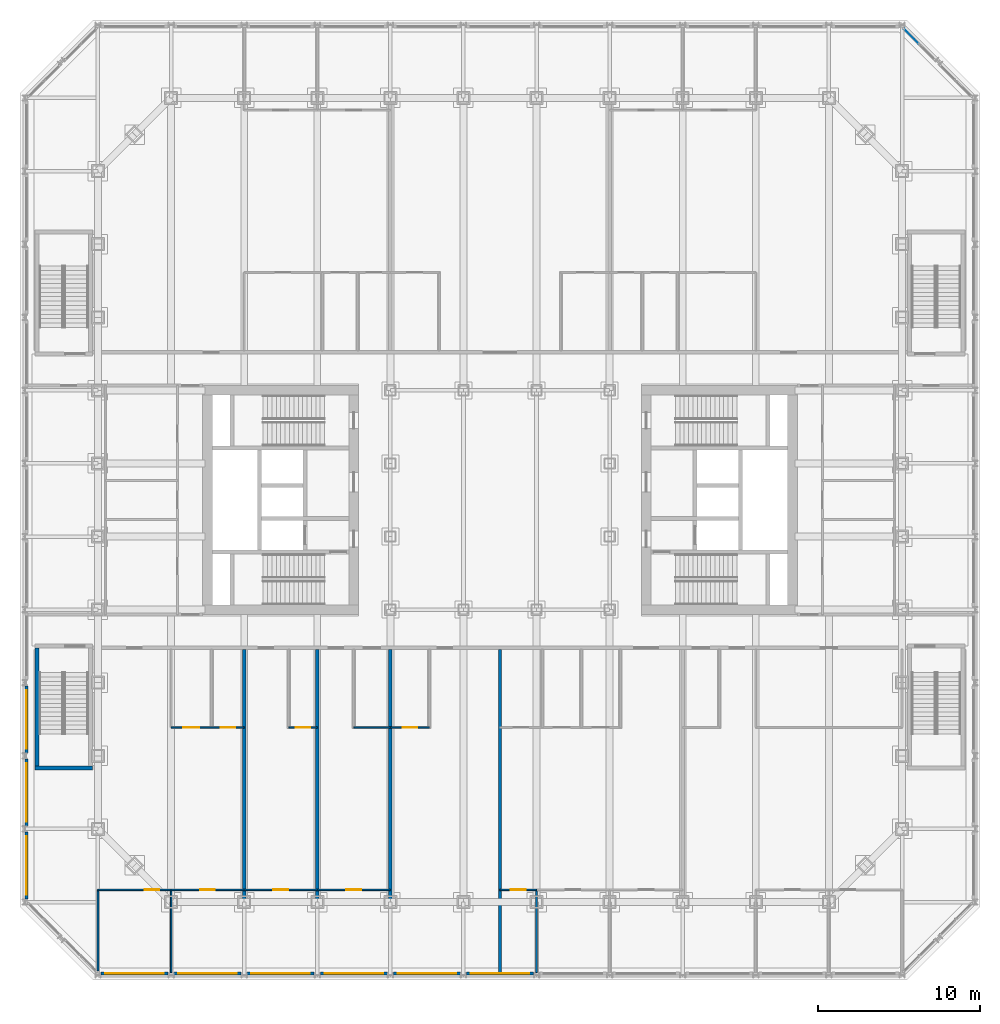
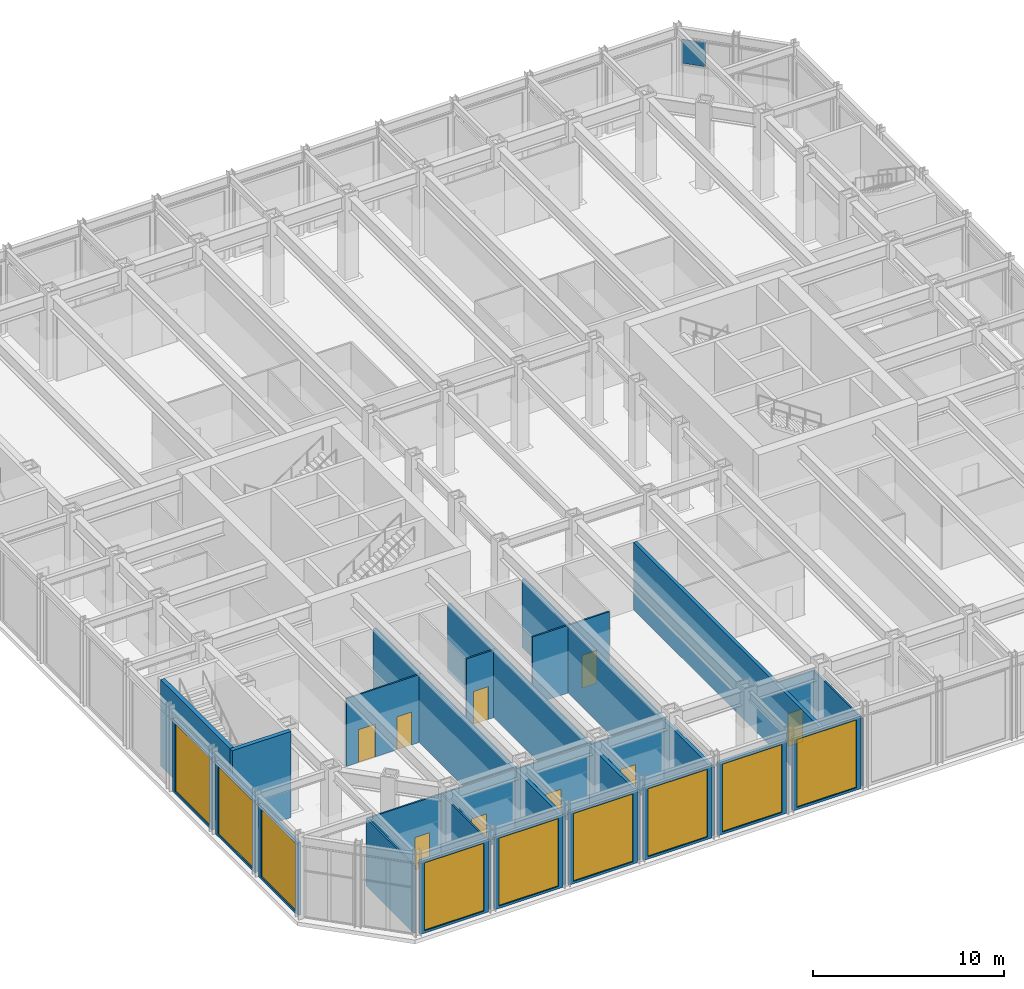
# One storey, part 10 of 19: 27 walls, 9 doors, 9 windows, 1 plate, 18 openings, 1 element without a shape of its own.
"""IFC4 building model written with IfcOpenShell, lengths in metres."""

from ifc_helpers import new_model, si_unit, direction, frame, frame_2d, origin, origin_2d, place, context, subcontext, project, spatial, rectangle, extrude, material, layer, layer_set, type_object, element, fill, aggregate, save


model = new_model("IFC4")

# Units and contexts
model_context = context("Model", 3, precision=1e-05, world=origin(), true_north=direction((0.0, 1.0)))
body_context = subcontext(model_context, "Body", "Model", "MODEL_VIEW")
ifc_project = project(units=[si_unit("LENGTHUNIT", "METRE"), si_unit("AREAUNIT", "SQUARE_METRE"), si_unit("VOLUMEUNIT", "CUBIC_METRE"), si_unit("PLANEANGLEUNIT", "RADIAN"), si_unit("MASSUNIT", "GRAM", prefix="KILO")], contexts=[model_context])

# Site, building, storey
site_placement = place(None, origin())
site = spatial("IfcSite", under=ifc_project, at=site_placement, CompositionType="ELEMENT")
building_placement = place(site_placement, origin())
building = spatial("IfcBuilding", under=site, at=building_placement, Name="Msasa Ring Tower", CompositionType="ELEMENT")
storey_placement = place(building_placement, frame((0.0, 0.0, 16.0)))
storey = spatial("IfcBuildingStorey", under=building, at=storey_placement, Name="L03", CompositionType="ELEMENT", Elevation=16.0)

# Curtain wall, plate
ifc_material_1 = material(Name="Aluminium curtain wall with clear glass", Category="aluminium")
curtain_wall_type = type_object("IfcCurtainWallType", Name="CW-K PODIUM CORNER CURTAIN WALL", PredefinedType="NOTDEFINED", material=ifc_material_1)
curtain_wall_placement = place(storey_placement, origin())
curtain_wall = element("IfcCurtainWall", 1, at=curtain_wall_placement, inside=storey, type_object=curtain_wall_type, Name="Podium corner curtain wall NE L03", PredefinedType="NOTDEFINED")
ifc_material_2 = material(Name="Clear laminated insulating glass unit", Category="glass")
ifc_layer_1 = layer(ifc_material_2, 0.031982421875)
ifc_layer_set_1 = layer_set([ifc_layer_1], Name="CW-K GLASS PANEL 32")
plate_type = type_object("IfcPlateType", Name="CW-K GLASS PANEL 32", PredefinedType="CURTAIN_PANEL", material=ifc_layer_set_1)
plate_placement = place(storey_placement, frame((25.320556640625, 28.5380859375, 3.034912109375), z_axis=(0.0, 0.0, 1.0), x_axis=(-0.707106781187, 0.707106781187, 0.0)))
plate = element("IfcPlate", 2, at=plate_placement, type_object=plate_type, Name="CW-K panel 2.2", PredefinedType="CURTAIN_PANEL", context=body_context, shape_type="SweptSolid", body=[
    extrude(rectangle(XDim=1.29833984375, YDim=0.031982421875, at=origin_2d()), origin(), (0.0, 0.0, 1.0), 1.52783203125),
])
aggregate(curtain_wall, [plate])

# Wall, opening, window
ifc_material_3 = material(Name="Terracotta rainscreen on blockwork", Category="masonry")
ifc_layer_2 = layer(ifc_material_3, 0.199951171875)
ifc_layer_set_2 = layer_set([ifc_layer_2], Name="FW2 TERRACOTTA PODIUM BAY WALL 200")
wall_type_1 = type_object("IfcWallType", Name="FW2 TERRACOTTA PODIUM BAY WALL 200", PredefinedType="SOLIDWALL", material=ifc_layer_set_2)
wall_1_placement = place(storey_placement, frame((-24.562255859375, -29.14990234375, 0.0), z_axis=(0.0, 0.0, 1.0), x_axis=(1.0, 0.0, 0.0)))
wall_1 = element("IfcWall", 3, at=wall_1_placement, inside=storey, type_object=wall_type_1, Name="Podium bay wall S L03 00", PredefinedType="SOLIDWALL", context=body_context, shape_type="SweptSolid", body=[
    extrude(rectangle(XDim=4.12451171875, YDim=0.199951171875, at=frame_2d((2.062255859375, 0.0))), origin(), (0.0, 0.0, 1.0), 4.6328125),
])
opening_1_placement = place(wall_1_placement, frame((0.26220703125, 0.0, 0.14990234375)))
opening_1 = element("IfcOpeningElement", 4, at=opening_1_placement, cuts=wall_1, Name="Opening SF4", PredefinedType="OPENING", context=body_context, shape_type="SweptSolid", body=[
    extrude(rectangle(XDim=3.60009765625, YDim=4.3330078125, at=frame_2d((1.800048828125, 2.16650390625))), frame((0.0, 0.10986328125, 0.0), z_axis=(0.0, -1.0, 0.0), x_axis=(1.0, 0.0, 0.0)), (0.0, 0.0, 1.0), 0.219970703125),
])
ifc_material_4 = material(Name="Aluminium frame with clear glass", Category="aluminium")
window_type = type_object("IfcWindowType", Name="SF4 SHOPFRONT GLAZING 3600x4333", PartitioningType="SINGLE_PANEL", PredefinedType="WINDOW", material=ifc_material_4)
window_1_placement = place(opening_1_placement, origin())
window_1 = element("IfcWindow", 5, at=window_1_placement, inside=storey, type_object=window_type, Name="Shopfront glazing S L03 00", OverallHeight=4.3330078125, OverallWidth=3.60009765625, PartitioningType="SINGLE_PANEL", PredefinedType="WINDOW", context=body_context, shape_type="SweptSolid", body=[
    extrude(rectangle(XDim=3.60009765625, YDim=4.3330078125, at=frame_2d((1.800048828125, 2.16650390625))), frame((0.0, 0.030029296875, 0.0), z_axis=(0.0, -1.0, 0.0), x_axis=(1.0, 0.0, 0.0)), (0.0, 0.0, 1.0), 0.06005859375),
])
fill(opening_1, window_1)

wall_2_placement = place(storey_placement, frame((-20.062255859375, -29.14990234375, 0.0), z_axis=(0.0, 0.0, 1.0), x_axis=(1.0, 0.0, 0.0)))
wall_2 = element("IfcWall", 6, at=wall_2_placement, inside=storey, type_object=wall_type_1, Name="Podium bay wall S L03 01", PredefinedType="SOLIDWALL", context=body_context, shape_type="SweptSolid", body=[
    extrude(rectangle(XDim=4.124755859375, YDim=0.199951171875, at=frame_2d((2.0625, 0.0))), origin(), (0.0, 0.0, 1.0), 4.6328125),
])
opening_2_placement = place(wall_2_placement, frame((0.26220703125, 0.0, 0.14990234375)))
opening_2 = element("IfcOpeningElement", 7, at=opening_2_placement, cuts=wall_2, Name="Opening SF4", PredefinedType="OPENING", context=body_context, shape_type="SweptSolid", body=[
    extrude(rectangle(XDim=3.60009765625, YDim=4.3330078125, at=frame_2d((1.800048828125, 2.16650390625))), frame((0.0, 0.10986328125, 0.0), z_axis=(0.0, -1.0, 0.0), x_axis=(1.0, 0.0, 0.0)), (0.0, 0.0, 1.0), 0.219970703125),
])
window_2_placement = place(opening_2_placement, origin())
window_2 = element("IfcWindow", 8, at=window_2_placement, inside=storey, type_object=window_type, Name="Shopfront glazing S L03 01", OverallHeight=4.3330078125, OverallWidth=3.60009765625, PartitioningType="SINGLE_PANEL", PredefinedType="WINDOW", context=body_context, shape_type="SweptSolid", body=[
    extrude(rectangle(XDim=3.60009765625, YDim=4.3330078125, at=frame_2d((1.800048828125, 2.16650390625))), frame((0.0, 0.030029296875, 0.0), z_axis=(0.0, -1.0, 0.0), x_axis=(1.0, 0.0, 0.0)), (0.0, 0.0, 1.0), 0.06005859375),
])
fill(opening_2, window_2)

wall_3_placement = place(storey_placement, frame((-15.5625, -29.14990234375, 0.0), z_axis=(0.0, 0.0, 1.0), x_axis=(1.0, 0.0, 0.0)))
wall_3 = element("IfcWall", 9, at=wall_3_placement, inside=storey, type_object=wall_type_1, Name="Podium bay wall S L03 02", PredefinedType="SOLIDWALL", context=body_context, shape_type="SweptSolid", body=[
    extrude(rectangle(XDim=4.125, YDim=0.199951171875, at=frame_2d((2.0625, 0.0))), origin(), (0.0, 0.0, 1.0), 4.6328125),
])
opening_3_placement = place(wall_3_placement, frame((0.262451171875, 0.0, 0.14990234375)))
opening_3 = element("IfcOpeningElement", 10, at=opening_3_placement, cuts=wall_3, Name="Opening SF4", PredefinedType="OPENING", context=body_context, shape_type="SweptSolid", body=[
    extrude(rectangle(XDim=3.60009765625, YDim=4.3330078125, at=frame_2d((1.800048828125, 2.16650390625))), frame((0.0, 0.10986328125, 0.0), z_axis=(0.0, -1.0, 0.0), x_axis=(1.0, 0.0, 0.0)), (0.0, 0.0, 1.0), 0.219970703125),
])
window_3_placement = place(opening_3_placement, origin())
window_3 = element("IfcWindow", 11, at=window_3_placement, inside=storey, type_object=window_type, Name="Shopfront glazing S L03 02", OverallHeight=4.3330078125, OverallWidth=3.60009765625, PartitioningType="SINGLE_PANEL", PredefinedType="WINDOW", context=body_context, shape_type="SweptSolid", body=[
    extrude(rectangle(XDim=3.60009765625, YDim=4.3330078125, at=frame_2d((1.800048828125, 2.16650390625))), frame((0.0, 0.030029296875, 0.0), z_axis=(0.0, -1.0, 0.0), x_axis=(1.0, 0.0, 0.0)), (0.0, 0.0, 1.0), 0.06005859375),
])
fill(opening_3, window_3)

wall_4_placement = place(storey_placement, frame((-11.0625, -29.14990234375, 0.0), z_axis=(0.0, 0.0, 1.0), x_axis=(1.0, 0.0, 0.0)))
wall_4 = element("IfcWall", 12, at=wall_4_placement, inside=storey, type_object=wall_type_1, Name="Podium bay wall S L03 03", PredefinedType="SOLIDWALL", context=body_context, shape_type="SweptSolid", body=[
    extrude(rectangle(XDim=4.125, YDim=0.199951171875, at=frame_2d((2.0625, 0.0))), origin(), (0.0, 0.0, 1.0), 4.6328125),
])
opening_4_placement = place(wall_4_placement, frame((0.262451171875, 0.0, 0.14990234375)))
opening_4 = element("IfcOpeningElement", 13, at=opening_4_placement, cuts=wall_4, Name="Opening SF4", PredefinedType="OPENING", context=body_context, shape_type="SweptSolid", body=[
    extrude(rectangle(XDim=3.60009765625, YDim=4.3330078125, at=frame_2d((1.800048828125, 2.16650390625))), frame((0.0, 0.10986328125, 0.0), z_axis=(0.0, -1.0, 0.0), x_axis=(1.0, 0.0, 0.0)), (0.0, 0.0, 1.0), 0.219970703125),
])
window_4_placement = place(opening_4_placement, origin())
window_4 = element("IfcWindow", 14, at=window_4_placement, inside=storey, type_object=window_type, Name="Shopfront glazing S L03 03", OverallHeight=4.3330078125, OverallWidth=3.60009765625, PartitioningType="SINGLE_PANEL", PredefinedType="WINDOW", context=body_context, shape_type="SweptSolid", body=[
    extrude(rectangle(XDim=3.60009765625, YDim=4.3330078125, at=frame_2d((1.800048828125, 2.16650390625))), frame((0.0, 0.030029296875, 0.0), z_axis=(0.0, -1.0, 0.0), x_axis=(1.0, 0.0, 0.0)), (0.0, 0.0, 1.0), 0.06005859375),
])
fill(opening_4, window_4)

wall_5_placement = place(storey_placement, frame((-6.5625, -29.14990234375, 0.0), z_axis=(0.0, 0.0, 1.0), x_axis=(1.0, 0.0, 0.0)))
wall_5 = element("IfcWall", 15, at=wall_5_placement, inside=storey, type_object=wall_type_1, Name="Podium bay wall S L03 04", PredefinedType="SOLIDWALL", context=body_context, shape_type="SweptSolid", body=[
    extrude(rectangle(XDim=4.124755859375, YDim=0.199951171875, at=frame_2d((2.0625, 0.0))), origin(), (0.0, 0.0, 1.0), 4.6328125),
])
opening_5_placement = place(wall_5_placement, frame((0.262451171875, 0.0, 0.14990234375)))
opening_5 = element("IfcOpeningElement", 16, at=opening_5_placement, cuts=wall_5, Name="Opening SF4", PredefinedType="OPENING", context=body_context, shape_type="SweptSolid", body=[
    extrude(rectangle(XDim=3.60009765625, YDim=4.3330078125, at=frame_2d((1.800048828125, 2.16650390625))), frame((0.0, 0.10986328125, 0.0), z_axis=(0.0, -1.0, 0.0), x_axis=(1.0, 0.0, 0.0)), (0.0, 0.0, 1.0), 0.219970703125),
])
window_5_placement = place(opening_5_placement, origin())
window_5 = element("IfcWindow", 17, at=window_5_placement, inside=storey, type_object=window_type, Name="Shopfront glazing S L03 04", OverallHeight=4.3330078125, OverallWidth=3.60009765625, PartitioningType="SINGLE_PANEL", PredefinedType="WINDOW", context=body_context, shape_type="SweptSolid", body=[
    extrude(rectangle(XDim=3.60009765625, YDim=4.3330078125, at=frame_2d((1.800048828125, 2.16650390625))), frame((0.0, 0.030029296875, 0.0), z_axis=(0.0, -1.0, 0.0), x_axis=(1.0, 0.0, 0.0)), (0.0, 0.0, 1.0), 0.06005859375),
])
fill(opening_5, window_5)

wall_6_placement = place(storey_placement, frame((-2.062255859375, -29.14990234375, 0.0), z_axis=(0.0, 0.0, 1.0), x_axis=(1.0, 0.0, 0.0)))
wall_6 = element("IfcWall", 18, at=wall_6_placement, inside=storey, type_object=wall_type_1, Name="Podium bay wall S L03 05", PredefinedType="SOLIDWALL", context=body_context, shape_type="SweptSolid", body=[
    extrude(rectangle(XDim=4.12451171875, YDim=0.199951171875, at=frame_2d((2.062255859375, 0.0))), origin(), (0.0, 0.0, 1.0), 4.6328125),
])
opening_6_placement = place(wall_6_placement, frame((0.26220703125, 0.0, 0.14990234375)))
opening_6 = element("IfcOpeningElement", 19, at=opening_6_placement, cuts=wall_6, Name="Opening SF4", PredefinedType="OPENING", context=body_context, shape_type="SweptSolid", body=[
    extrude(rectangle(XDim=3.60009765625, YDim=4.3330078125, at=frame_2d((1.800048828125, 2.16650390625))), frame((0.0, 0.10986328125, 0.0), z_axis=(0.0, -1.0, 0.0), x_axis=(1.0, 0.0, 0.0)), (0.0, 0.0, 1.0), 0.219970703125),
])
window_6_placement = place(opening_6_placement, origin())
window_6 = element("IfcWindow", 20, at=window_6_placement, inside=storey, type_object=window_type, Name="Shopfront glazing S L03 05", OverallHeight=4.3330078125, OverallWidth=3.60009765625, PartitioningType="SINGLE_PANEL", PredefinedType="WINDOW", context=body_context, shape_type="SweptSolid", body=[
    extrude(rectangle(XDim=3.60009765625, YDim=4.3330078125, at=frame_2d((1.800048828125, 2.16650390625))), frame((0.0, 0.030029296875, 0.0), z_axis=(0.0, -1.0, 0.0), x_axis=(1.0, 0.0, 0.0)), (0.0, 0.0, 1.0), 0.06005859375),
])
fill(opening_6, window_6)

wall_7_placement = place(storey_placement, frame((-29.14990234375, -24.562255859375, 0.0), z_axis=(0.0, 0.0, 1.0), x_axis=(0.0, 1.0, 0.0)))
wall_7 = element("IfcWall", 21, at=wall_7_placement, inside=storey, type_object=wall_type_1, Name="Podium bay wall W L03 39", PredefinedType="SOLIDWALL", context=body_context, shape_type="SweptSolid", body=[
    extrude(rectangle(XDim=4.12451171875, YDim=0.199951171875, at=frame_2d((2.062255859375, 0.0))), origin(), (0.0, 0.0, 1.0), 4.6328125),
])
opening_7_placement = place(wall_7_placement, frame((0.26220703125, 0.0, 0.14990234375)))
opening_7 = element("IfcOpeningElement", 22, at=opening_7_placement, cuts=wall_7, Name="Opening SF4", PredefinedType="OPENING", context=body_context, shape_type="SweptSolid", body=[
    extrude(rectangle(XDim=3.60009765625, YDim=4.3330078125, at=frame_2d((1.800048828125, 2.16650390625))), frame((0.0, 0.10986328125, 0.0), z_axis=(0.0, -1.0, 0.0), x_axis=(1.0, 0.0, 0.0)), (0.0, 0.0, 1.0), 0.219970703125),
])
window_7_placement = place(opening_7_placement, origin())
window_7 = element("IfcWindow", 23, at=window_7_placement, inside=storey, type_object=window_type, Name="Shopfront glazing W L03 39", OverallHeight=4.3330078125, OverallWidth=3.60009765625, PartitioningType="SINGLE_PANEL", PredefinedType="WINDOW", context=body_context, shape_type="SweptSolid", body=[
    extrude(rectangle(XDim=3.60009765625, YDim=4.3330078125, at=frame_2d((1.800048828125, 2.16650390625))), frame((0.0, 0.030029296875, 0.0), z_axis=(0.0, -1.0, 0.0), x_axis=(1.0, 0.0, 0.0)), (0.0, 0.0, 1.0), 0.06005859375),
])
fill(opening_7, window_7)

wall_8_placement = place(storey_placement, frame((-29.14990234375, -20.062255859375, 0.0), z_axis=(0.0, 0.0, 1.0), x_axis=(0.0, 1.0, 0.0)))
wall_8 = element("IfcWall", 24, at=wall_8_placement, inside=storey, type_object=wall_type_1, Name="Podium bay wall W L03 40", PredefinedType="SOLIDWALL", context=body_context, shape_type="SweptSolid", body=[
    extrude(rectangle(XDim=4.124755859375, YDim=0.199951171875, at=frame_2d((2.0625, 0.0))), origin(), (0.0, 0.0, 1.0), 4.6328125),
])
opening_8_placement = place(wall_8_placement, frame((0.26220703125, 0.0, 0.14990234375)))
opening_8 = element("IfcOpeningElement", 25, at=opening_8_placement, cuts=wall_8, Name="Opening SF4", PredefinedType="OPENING", context=body_context, shape_type="SweptSolid", body=[
    extrude(rectangle(XDim=3.60009765625, YDim=4.3330078125, at=frame_2d((1.800048828125, 2.16650390625))), frame((0.0, 0.10986328125, 0.0), z_axis=(0.0, -1.0, 0.0), x_axis=(1.0, 0.0, 0.0)), (0.0, 0.0, 1.0), 0.219970703125),
])
window_8_placement = place(opening_8_placement, origin())
window_8 = element("IfcWindow", 26, at=window_8_placement, inside=storey, type_object=window_type, Name="Shopfront glazing W L03 40", OverallHeight=4.3330078125, OverallWidth=3.60009765625, PartitioningType="SINGLE_PANEL", PredefinedType="WINDOW", context=body_context, shape_type="SweptSolid", body=[
    extrude(rectangle(XDim=3.60009765625, YDim=4.3330078125, at=frame_2d((1.800048828125, 2.16650390625))), frame((0.0, 0.030029296875, 0.0), z_axis=(0.0, -1.0, 0.0), x_axis=(1.0, 0.0, 0.0)), (0.0, 0.0, 1.0), 0.06005859375),
])
fill(opening_8, window_8)

wall_9_placement = place(storey_placement, frame((-29.14990234375, -15.5625, 0.0), z_axis=(0.0, 0.0, 1.0), x_axis=(0.0, 1.0, 0.0)))
wall_9 = element("IfcWall", 27, at=wall_9_placement, inside=storey, type_object=wall_type_1, Name="Podium bay wall W L03 41", PredefinedType="SOLIDWALL", context=body_context, shape_type="SweptSolid", body=[
    extrude(rectangle(XDim=4.125, YDim=0.199951171875, at=frame_2d((2.0625, 0.0))), origin(), (0.0, 0.0, 1.0), 4.6328125),
])
opening_9_placement = place(wall_9_placement, frame((0.262451171875, 0.0, 0.14990234375)))
opening_9 = element("IfcOpeningElement", 28, at=opening_9_placement, cuts=wall_9, Name="Opening SF4", PredefinedType="OPENING", context=body_context, shape_type="SweptSolid", body=[
    extrude(rectangle(XDim=3.60009765625, YDim=4.3330078125, at=frame_2d((1.800048828125, 2.16650390625))), frame((0.0, 0.10986328125, 0.0), z_axis=(0.0, -1.0, 0.0), x_axis=(1.0, 0.0, 0.0)), (0.0, 0.0, 1.0), 0.219970703125),
])
window_9_placement = place(opening_9_placement, origin())
window_9 = element("IfcWindow", 29, at=window_9_placement, inside=storey, type_object=window_type, Name="Shopfront glazing W L03 41", OverallHeight=4.3330078125, OverallWidth=3.60009765625, PartitioningType="SINGLE_PANEL", PredefinedType="WINDOW", context=body_context, shape_type="SweptSolid", body=[
    extrude(rectangle(XDim=3.60009765625, YDim=4.3330078125, at=frame_2d((1.800048828125, 2.16650390625))), frame((0.0, 0.030029296875, 0.0), z_axis=(0.0, -1.0, 0.0), x_axis=(1.0, 0.0, 0.0)), (0.0, 0.0, 1.0), 0.06005859375),
])
fill(opening_9, window_9)

# Wall, openings, doors
ifc_material_5 = material(Name="Gypsum board on steel studs", Category="steel")
ifc_layer_3 = layer(ifc_material_5, 0.10009765625)
ifc_layer_set_3 = layer_set([ifc_layer_3], Name="PT2 STUD PARTITION 100")
wall_type_2 = type_object("IfcWallType", Name="PT2 STUD PARTITION 100", PredefinedType="PARTITIONING", material=ifc_layer_set_3)
wall_10_placement = place(storey_placement, frame((-20.25, -14.0, 0.0), z_axis=(0.0, 0.0, 1.0), x_axis=(1.0, 0.0, 0.0)))
wall_10 = element("IfcWall", 30, at=wall_10_placement, inside=storey, type_object=wall_type_2, Name="Partition L03-PDS0BY", PredefinedType="PARTITIONING", context=body_context, shape_type="SweptSolid", body=[
    extrude(rectangle(XDim=4.5, YDim=0.10009765625, at=frame_2d((2.25, 0.0))), origin(), (0.0, 0.0, 1.0), 4.3291015625),
])
opening_10_placement = place(wall_10_placement, frame((0.75, 0.0, 0.0)))
opening_10 = element("IfcOpeningElement", 31, at=opening_10_placement, cuts=wall_10, Name="Opening L03-049", PredefinedType="OPENING", context=body_context, shape_type="SweptSolid", body=[
    extrude(rectangle(XDim=1.0, YDim=2.10009765625, at=frame_2d((0.5, 1.050048828125))), frame((0.0, 0.06005859375, 0.0), z_axis=(0.0, -1.0, 0.0), x_axis=(1.0, 0.0, 0.0)), (0.0, 0.0, 1.0), 0.1201171875),
])
opening_11_placement = place(wall_10_placement, frame((3.050048828125, 0.0, 0.0)))
opening_11 = element("IfcOpeningElement", 32, at=opening_11_placement, cuts=wall_10, Name="Opening L03-050", PredefinedType="OPENING", context=body_context, shape_type="SweptSolid", body=[
    extrude(rectangle(XDim=0.89990234375, YDim=2.10009765625, at=frame_2d((0.449951171875, 1.050048828125))), frame((0.0, 0.06005859375, 0.0), z_axis=(0.0, -1.0, 0.0), x_axis=(1.0, 0.0, 0.0)), (0.0, 0.0, 1.0), 0.1201171875),
])
ifc_material_6 = material(Name="Timber door leaf in a steel frame", Category="steel")
door_type_1 = type_object("IfcDoorType", Name="D22 INTERNAL HALL DOOR 900x2100", OperationType="SINGLE_SWING_LEFT", PredefinedType="DOOR", material=ifc_material_6)
door_1_placement = place(opening_11_placement, origin())
door_1 = element("IfcDoor", 33, at=door_1_placement, inside=storey, type_object=door_type_1, Name="Door L03-PDS0B1", OperationType="SINGLE_SWING_RIGHT", OverallHeight=2.10009765625, OverallWidth=0.89990234375, PredefinedType="DOOR", context=body_context, shape_type="SweptSolid", body=[
    extrude(rectangle(XDim=0.89990234375, YDim=2.10009765625, at=frame_2d((0.449951171875, 1.050048828125))), frame((0.0, 0.02490234375, 0.0), z_axis=(0.0, -1.0, 0.0), x_axis=(1.0, 0.0, 0.0)), (0.0, 0.0, 1.0), 0.050048828125),
])
fill(opening_11, door_1)
ifc_material_7 = material(Name="Timber door leaf in a steel frame", Category="steel")
door_type_2 = type_object("IfcDoorType", Name="D27 INTERNAL STORE DOOR 1000x2100", OperationType="SINGLE_SWING_LEFT", PredefinedType="DOOR", material=ifc_material_7)
door_2_placement = place(opening_10_placement, origin())
door_2 = element("IfcDoor", 34, at=door_2_placement, inside=storey, type_object=door_type_2, Name="Door L03-PDS0B0", OperationType="SINGLE_SWING_LEFT", OverallHeight=2.10009765625, OverallWidth=1.0, PredefinedType="DOOR", context=body_context, shape_type="SweptSolid", body=[
    extrude(rectangle(XDim=1.0, YDim=2.10009765625, at=frame_2d((0.5, 1.050048828125))), frame((0.0, 0.02490234375, 0.0), z_axis=(0.0, -1.0, 0.0), x_axis=(1.0, 0.0, 0.0)), (0.0, 0.0, 1.0), 0.050048828125),
])
fill(opening_10, door_2)

# Walls
wall_11_placement = place(storey_placement, frame((-24.75, -28.989990234375, 0.0), z_axis=(0.0, 0.0, 1.0), x_axis=(0.0, 1.0, 0.0)))
element("IfcWall", 35, at=wall_11_placement, inside=storey, type_object=wall_type_2, Name="Partition L03-PDS0FX-24.75", PredefinedType="PARTITIONING", context=body_context, shape_type="SweptSolid", body=[
    extrude(rectangle(XDim=4.989990234375, YDim=0.10009765625, at=frame_2d((2.4951171875, 0.0))), origin(), (0.0, 0.0, 1.0), 4.3291015625),
])
wall_12_placement = place(storey_placement, frame((-20.25, -29.0888671875, 0.0), z_axis=(0.0, 0.0, 1.0), x_axis=(0.0, 1.0, 0.0)))
element("IfcWall", 36, at=wall_12_placement, inside=storey, type_object=wall_type_2, Name="Partition L03-PDS0FX-20.25", PredefinedType="PARTITIONING", context=body_context, shape_type="SweptSolid", body=[
    extrude(rectangle(XDim=5.0888671875, YDim=0.10009765625, at=frame_2d((2.54443359375, 0.0))), origin(), (0.0, 0.0, 1.0), 4.3291015625),
])

# Wall, opening, door
wall_13_placement = place(storey_placement, frame((-24.75, -24.0, 0.0), z_axis=(0.0, 0.0, 1.0), x_axis=(1.0, 0.0, 0.0)))
wall_13 = element("IfcWall", 37, at=wall_13_placement, inside=storey, type_object=wall_type_2, Name="Partition L03-PDS0FY0", PredefinedType="PARTITIONING", context=body_context, shape_type="SweptSolid", body=[
    extrude(rectangle(XDim=4.5, YDim=0.10009765625, at=frame_2d((2.25, 0.0))), origin(), (0.0, 0.0, 1.0), 4.3291015625),
])
opening_12_placement = place(wall_13_placement, frame((2.86572265625, 0.0, 0.0)))
opening_12 = element("IfcOpeningElement", 38, at=opening_12_placement, cuts=wall_13, Name="Opening L03-056", PredefinedType="OPENING", context=body_context, shape_type="SweptSolid", body=[
    extrude(rectangle(XDim=0.89990234375, YDim=2.10009765625, at=frame_2d((0.449951171875, 1.050048828125))), frame((0.0, 0.06005859375, 0.0), z_axis=(0.0, -1.0, 0.0), x_axis=(1.0, 0.0, 0.0)), (0.0, 0.0, 1.0), 0.1201171875),
])
door_3_placement = place(opening_12_placement, origin())
door_3 = element("IfcDoor", 39, at=door_3_placement, inside=storey, type_object=door_type_1, Name="Door L03-PDS0F0", OperationType="SINGLE_SWING_RIGHT", OverallHeight=2.10009765625, OverallWidth=0.89990234375, PredefinedType="DOOR", context=body_context, shape_type="SweptSolid", body=[
    extrude(rectangle(XDim=0.89990234375, YDim=2.10009765625, at=frame_2d((0.449951171875, 1.050048828125))), frame((0.0, 0.02490234375, 0.0), z_axis=(0.0, -1.0, 0.0), x_axis=(1.0, 0.0, 0.0)), (0.0, 0.0, 1.0), 0.050048828125),
])
fill(opening_12, door_3)

wall_14_placement = place(storey_placement, frame((-20.25, -24.0, 0.0), z_axis=(0.0, 0.0, 1.0), x_axis=(1.0, 0.0, 0.0)))
wall_14 = element("IfcWall", 40, at=wall_14_placement, inside=storey, type_object=wall_type_2, Name="Partition L03-PDS0FY1", PredefinedType="PARTITIONING", context=body_context, shape_type="SweptSolid", body=[
    extrude(rectangle(XDim=4.5, YDim=0.10009765625, at=frame_2d((2.25, 0.0))), origin(), (0.0, 0.0, 1.0), 4.3291015625),
])
opening_13_placement = place(wall_14_placement, frame((1.800048828125, 0.0, 0.0)))
opening_13 = element("IfcOpeningElement", 41, at=opening_13_placement, cuts=wall_14, Name="Opening L03-057", PredefinedType="OPENING", context=body_context, shape_type="SweptSolid", body=[
    extrude(rectangle(XDim=0.89990234375, YDim=2.10009765625, at=frame_2d((0.449951171875, 1.050048828125))), frame((0.0, 0.06005859375, 0.0), z_axis=(0.0, -1.0, 0.0), x_axis=(1.0, 0.0, 0.0)), (0.0, 0.0, 1.0), 0.1201171875),
])
door_4_placement = place(opening_13_placement, origin())
door_4 = element("IfcDoor", 42, at=door_4_placement, inside=storey, type_object=door_type_1, Name="Door L03-PDS0F1", OperationType="SINGLE_SWING_LEFT", OverallHeight=2.10009765625, OverallWidth=0.89990234375, PredefinedType="DOOR", context=body_context, shape_type="SweptSolid", body=[
    extrude(rectangle(XDim=0.89990234375, YDim=2.10009765625, at=frame_2d((0.449951171875, 1.050048828125))), frame((0.0, 0.02490234375, 0.0), z_axis=(0.0, -1.0, 0.0), x_axis=(1.0, 0.0, 0.0)), (0.0, 0.0, 1.0), 0.050048828125),
])
fill(opening_13, door_4)

wall_15_placement = place(storey_placement, frame((-13.0, -14.0, 0.0), z_axis=(0.0, 0.0, 1.0), x_axis=(1.0, 0.0, 0.0)))
wall_15 = element("IfcWall", 43, at=wall_15_placement, inside=storey, type_object=wall_type_2, Name="Partition L03-PDS1BY", PredefinedType="PARTITIONING", context=body_context, shape_type="SweptSolid", body=[
    extrude(rectangle(XDim=1.75, YDim=0.10009765625, at=frame_2d((0.875, 0.0))), origin(), (0.0, 0.0, 1.0), 4.3291015625),
])
opening_14_placement = place(wall_15_placement, frame((0.425048828125, 0.0, 0.0)))
opening_14 = element("IfcOpeningElement", 44, at=opening_14_placement, cuts=wall_15, Name="Opening L03-051", PredefinedType="OPENING", context=body_context, shape_type="SweptSolid", body=[
    extrude(rectangle(XDim=0.89990234375, YDim=2.10009765625, at=frame_2d((0.449951171875, 1.050048828125))), frame((0.0, 0.06005859375, 0.0), z_axis=(0.0, -1.0, 0.0), x_axis=(1.0, 0.0, 0.0)), (0.0, 0.0, 1.0), 0.1201171875),
])
door_5_placement = place(opening_14_placement, origin())
door_5 = element("IfcDoor", 45, at=door_5_placement, inside=storey, type_object=door_type_1, Name="Door L03-PDS1B0", OperationType="SINGLE_SWING_LEFT", OverallHeight=2.10009765625, OverallWidth=0.89990234375, PredefinedType="DOOR", context=body_context, shape_type="SweptSolid", body=[
    extrude(rectangle(XDim=0.89990234375, YDim=2.10009765625, at=frame_2d((0.449951171875, 1.050048828125))), frame((0.0, 0.02490234375, 0.0), z_axis=(0.0, -1.0, 0.0), x_axis=(1.0, 0.0, 0.0)), (0.0, 0.0, 1.0), 0.050048828125),
])
fill(opening_14, door_5)

wall_16_placement = place(storey_placement, frame((-15.75, -24.0, 0.0), z_axis=(0.0, 0.0, 1.0), x_axis=(1.0, 0.0, 0.0)))
wall_16 = element("IfcWall", 46, at=wall_16_placement, inside=storey, type_object=wall_type_2, Name="Partition L03-PDS1FY0", PredefinedType="PARTITIONING", context=body_context, shape_type="SweptSolid", body=[
    extrude(rectangle(XDim=4.5, YDim=0.10009765625, at=frame_2d((2.25, 0.0))), origin(), (0.0, 0.0, 1.0), 4.3291015625),
])
opening_15_placement = place(wall_16_placement, frame((1.800048828125, 0.0, 0.0)))
opening_15 = element("IfcOpeningElement", 47, at=opening_15_placement, cuts=wall_16, Name="Opening L03-058", PredefinedType="OPENING", context=body_context, shape_type="SweptSolid", body=[
    extrude(rectangle(XDim=0.89990234375, YDim=2.10009765625, at=frame_2d((0.449951171875, 1.050048828125))), frame((0.0, 0.06005859375, 0.0), z_axis=(0.0, -1.0, 0.0), x_axis=(1.0, 0.0, 0.0)), (0.0, 0.0, 1.0), 0.1201171875),
])
door_6_placement = place(opening_15_placement, origin())
door_6 = element("IfcDoor", 48, at=door_6_placement, inside=storey, type_object=door_type_1, Name="Door L03-PDS1F0", OperationType="SINGLE_SWING_LEFT", OverallHeight=2.10009765625, OverallWidth=0.89990234375, PredefinedType="DOOR", context=body_context, shape_type="SweptSolid", body=[
    extrude(rectangle(XDim=0.89990234375, YDim=2.10009765625, at=frame_2d((0.449951171875, 1.050048828125))), frame((0.0, 0.02490234375, 0.0), z_axis=(0.0, -1.0, 0.0), x_axis=(1.0, 0.0, 0.0)), (0.0, 0.0, 1.0), 0.050048828125),
])
fill(opening_15, door_6)

# Wall
wall_17_placement = place(storey_placement, frame((-9.0, -14.0, 0.0), z_axis=(0.0, 0.0, 1.0), x_axis=(1.0, 0.0, 0.0)))
element("IfcWall", 49, at=wall_17_placement, inside=storey, type_object=wall_type_2, Name="Partition L03-PDS2BY", PredefinedType="PARTITIONING", context=body_context, shape_type="SweptSolid", body=[
    extrude(rectangle(XDim=2.25, YDim=0.10009765625, at=frame_2d((1.125, 0.0))), origin(), (0.0, 0.0, 1.0), 4.3291015625),
])

# Wall, opening, door
wall_18_placement = place(storey_placement, frame((-11.25, -24.0, 0.0), z_axis=(0.0, 0.0, 1.0), x_axis=(1.0, 0.0, 0.0)))
wall_18 = element("IfcWall", 50, at=wall_18_placement, inside=storey, type_object=wall_type_2, Name="Partition L03-PDS2FY0", PredefinedType="PARTITIONING", context=body_context, shape_type="SweptSolid", body=[
    extrude(rectangle(XDim=4.5, YDim=0.10009765625, at=frame_2d((2.25, 0.0))), origin(), (0.0, 0.0, 1.0), 4.3291015625),
])
opening_16_placement = place(wall_18_placement, frame((1.800048828125, 0.0, 0.0)))
opening_16 = element("IfcOpeningElement", 51, at=opening_16_placement, cuts=wall_18, Name="Opening L03-059", PredefinedType="OPENING", context=body_context, shape_type="SweptSolid", body=[
    extrude(rectangle(XDim=0.89990234375, YDim=2.10009765625, at=frame_2d((0.449951171875, 1.050048828125))), frame((0.0, 0.06005859375, 0.0), z_axis=(0.0, -1.0, 0.0), x_axis=(1.0, 0.0, 0.0)), (0.0, 0.0, 1.0), 0.1201171875),
])
door_7_placement = place(opening_16_placement, origin())
door_7 = element("IfcDoor", 52, at=door_7_placement, inside=storey, type_object=door_type_1, Name="Door L03-PDS2F0", OperationType="SINGLE_SWING_LEFT", OverallHeight=2.10009765625, OverallWidth=0.89990234375, PredefinedType="DOOR", context=body_context, shape_type="SweptSolid", body=[
    extrude(rectangle(XDim=0.89990234375, YDim=2.10009765625, at=frame_2d((0.449951171875, 1.050048828125))), frame((0.0, 0.02490234375, 0.0), z_axis=(0.0, -1.0, 0.0), x_axis=(1.0, 0.0, 0.0)), (0.0, 0.0, 1.0), 0.050048828125),
])
fill(opening_16, door_7)

wall_19_placement = place(storey_placement, frame((-6.75, -14.0, 0.0), z_axis=(0.0, 0.0, 1.0), x_axis=(1.0, 0.0, 0.0)))
wall_19 = element("IfcWall", 53, at=wall_19_placement, inside=storey, type_object=wall_type_2, Name="Partition L03-PDS3BY", PredefinedType="PARTITIONING", context=body_context, shape_type="SweptSolid", body=[
    extrude(rectangle(XDim=2.39990234375, YDim=0.10009765625, at=frame_2d((1.199951171875, 0.0))), origin(), (0.0, 0.0, 1.0), 4.3291015625),
])
opening_17_placement = place(wall_19_placement, frame((0.75, 0.0, 0.0)))
opening_17 = element("IfcOpeningElement", 54, at=opening_17_placement, cuts=wall_19, Name="Opening L03-052", PredefinedType="OPENING", context=body_context, shape_type="SweptSolid", body=[
    extrude(rectangle(XDim=0.89990234375, YDim=2.10009765625, at=frame_2d((0.449951171875, 1.050048828125))), frame((0.0, 0.06005859375, 0.0), z_axis=(0.0, -1.0, 0.0), x_axis=(1.0, 0.0, 0.0)), (0.0, 0.0, 1.0), 0.1201171875),
])
door_8_placement = place(opening_17_placement, origin())
door_8 = element("IfcDoor", 55, at=door_8_placement, inside=storey, type_object=door_type_1, Name="Door L03-PDS3B0", OperationType="SINGLE_SWING_LEFT", OverallHeight=2.10009765625, OverallWidth=0.89990234375, PredefinedType="DOOR", context=body_context, shape_type="SweptSolid", body=[
    extrude(rectangle(XDim=0.89990234375, YDim=2.10009765625, at=frame_2d((0.449951171875, 1.050048828125))), frame((0.0, 0.02490234375, 0.0), z_axis=(0.0, -1.0, 0.0), x_axis=(1.0, 0.0, 0.0)), (0.0, 0.0, 1.0), 0.050048828125),
])
fill(opening_17, door_8)

# Wall
wall_20_placement = place(storey_placement, frame((2.25, -29.0888671875, 0.0), z_axis=(0.0, 0.0, 1.0), x_axis=(0.0, 1.0, 0.0)))
element("IfcWall", 56, at=wall_20_placement, inside=storey, type_object=wall_type_2, Name="Partition L03-PDS4FX+2.25", PredefinedType="PARTITIONING", context=body_context, shape_type="SweptSolid", body=[
    extrude(rectangle(XDim=5.0888671875, YDim=0.10009765625, at=frame_2d((2.54443359375, 0.0))), origin(), (0.0, 0.0, 1.0), 4.3291015625),
])

# Wall, opening, door
wall_21_placement = place(storey_placement, frame((0.0, -24.0, 0.0), z_axis=(0.0, 0.0, 1.0), x_axis=(1.0, 0.0, 0.0)))
wall_21 = element("IfcWall", 57, at=wall_21_placement, inside=storey, type_object=wall_type_2, Name="Partition L03-PDS4FY0", PredefinedType="PARTITIONING", context=body_context, shape_type="SweptSolid", body=[
    extrude(rectangle(XDim=2.25, YDim=0.10009765625, at=frame_2d((1.125, 0.0))), origin(), (0.0, 0.0, 1.0), 4.3291015625),
])
opening_18_placement = place(wall_21_placement, frame((0.675048828125, 0.0, 0.0)))
opening_18 = element("IfcOpeningElement", 58, at=opening_18_placement, cuts=wall_21, Name="Opening L03-060", PredefinedType="OPENING", context=body_context, shape_type="SweptSolid", body=[
    extrude(rectangle(XDim=0.89990234375, YDim=2.10009765625, at=frame_2d((0.449951171875, 1.050048828125))), frame((0.0, 0.06005859375, 0.0), z_axis=(0.0, -1.0, 0.0), x_axis=(1.0, 0.0, 0.0)), (0.0, 0.0, 1.0), 0.1201171875),
])
door_9_placement = place(opening_18_placement, origin())
door_9 = element("IfcDoor", 59, at=door_9_placement, inside=storey, type_object=door_type_1, Name="Door L03-PDS4F0", OperationType="SINGLE_SWING_LEFT", OverallHeight=2.10009765625, OverallWidth=0.89990234375, PredefinedType="DOOR", context=body_context, shape_type="SweptSolid", body=[
    extrude(rectangle(XDim=0.89990234375, YDim=2.10009765625, at=frame_2d((0.449951171875, 1.050048828125))), frame((0.0, 0.02490234375, 0.0), z_axis=(0.0, -1.0, 0.0), x_axis=(1.0, 0.0, 0.0)), (0.0, 0.0, 1.0), 0.050048828125),
])
fill(opening_18, door_9)

# Walls
ifc_material_8 = material(Name="Dense concrete blockwork, plastered both faces", Category="masonry")
ifc_layer_4 = layer(ifc_material_8, 0.25)
ifc_layer_set_4 = layer_set([ifc_layer_4], Name="PT3 APARTMENT SEPARATING WALL 250")
wall_type_3 = type_object("IfcWallType", Name="PT3 APARTMENT SEPARATING WALL 250", PredefinedType="PARTITIONING", material=ifc_layer_set_4)
for number, where, z_axis, x_axis, name in (
    (60, (-15.75, -29.0888671875, 0.0), (0.0, 0.0, 1.0), (0.0, 1.0, 0.0), "Party wall L03-PWS-15.75"),
    (61, (-11.25, -29.0888671875, 0.0), (0.0, 0.0, 1.0), (0.0, 1.0, 0.0), "Party wall L03-PWS-11.25"),
    (62, (-6.75, -29.0888671875, 0.0), (0.0, 0.0, 1.0), (0.0, 1.0, 0.0), "Party wall L03-PWS-6.75"),
):
    element("IfcWall", number, at=place(storey_placement, frame(where, z_axis=z_axis, x_axis=x_axis)), inside=storey, type_object=wall_type_3, Name=name, PredefinedType="PARTITIONING", context=body_context, shape_type="SweptSolid", body=[
        extrude(rectangle(XDim=19.888916015625, YDim=0.199951171875, at=frame_2d((9.9443359375, 0.0))), origin(), (0.0, 0.0, 1.0), 4.3291015625),
    ])
wall_22_placement = place(storey_placement, frame((0.0, -29.050048828125, 0.0), z_axis=(0.0, 0.0, 1.0), x_axis=(0.0, 1.0, 0.0)))
element("IfcWall", 63, at=wall_22_placement, inside=storey, type_object=wall_type_3, Name="Party wall L03-PWS+0.00", PredefinedType="PARTITIONING", context=body_context, shape_type="SweptSolid", body=[
    extrude(rectangle(XDim=19.85009765625, YDim=0.199951171875, at=frame_2d((9.925048828125, 0.0))), origin(), (0.0, 0.0, 1.0), 4.3291015625),
])
ifc_material_9 = material(Name="Concrete C60/75", Category="concrete")
ifc_layer_5 = layer(ifc_material_9, 0.25)
ifc_layer_set_5 = layer_set([ifc_layer_5], Name="SW1 STAIR WALL 250")
wall_type_4 = type_object("IfcWallType", Name="SW1 STAIR WALL 250", PredefinedType="SHEAR", material=ifc_layer_set_5)
wall_23_placement = place(storey_placement, frame((-28.625, -16.5, 0.0), z_axis=(0.0, 0.0, 1.0), x_axis=(1.0, 0.0, 0.0)))
element("IfcWall", 64, at=wall_23_placement, inside=storey, type_object=wall_type_4, Name="Podium stair WS wall S L03", PredefinedType="SHEAR", context=body_context, shape_type="SweptSolid", body=[
    extrude(rectangle(XDim=3.550048828125, YDim=0.25, at=frame_2d((1.77490234375, 0.0))), origin(), (0.0, 0.0, 1.0), 5.5),
])
wall_24_placement = place(storey_placement, frame((-28.5, -16.375, 0.0), z_axis=(0.0, 0.0, 1.0), x_axis=(0.0, 1.0, 0.0)))
element("IfcWall", 65, at=wall_24_placement, inside=storey, type_object=wall_type_4, Name="Podium stair WS wall W L03", PredefinedType="SHEAR", context=body_context, shape_type="SweptSolid", body=[
    extrude(rectangle(XDim=7.25, YDim=0.25, at=frame_2d((3.625, 0.0))), origin(), (0.0, 0.0, 1.0), 5.5),
])

save(model, "model.ifc")
